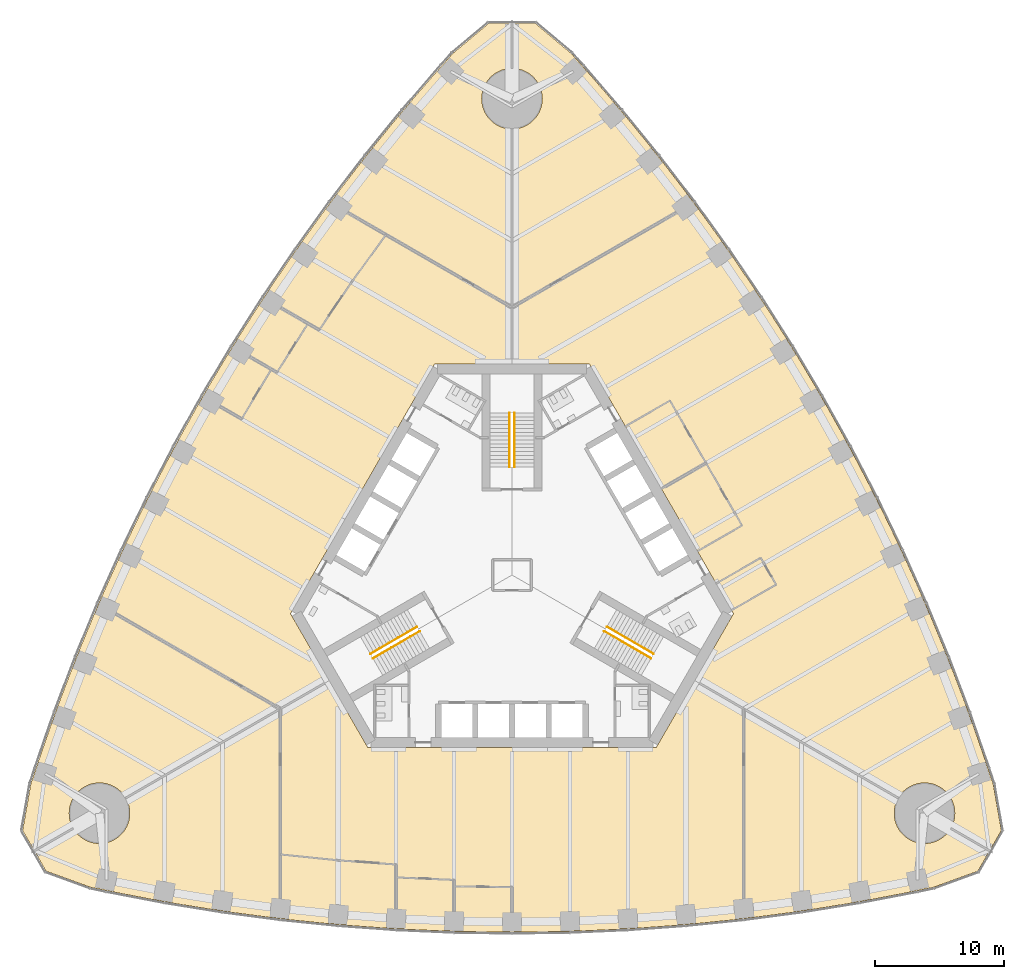
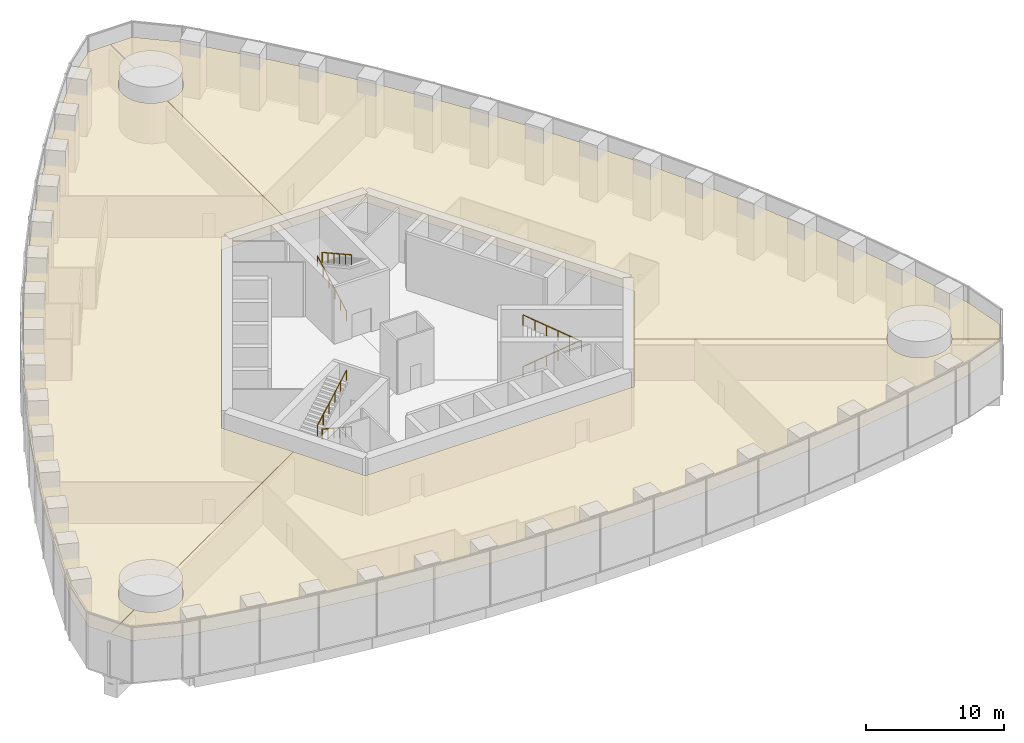
# One storey, part 19 of 21: 6 railings, 3 coverings.
"""IFC4 building model written with IfcOpenShell, lengths in metres."""

from ifc_helpers import new_model, si_unit, direction, frame, origin, origin_2d, place, context, subcontext, project, spatial, polyline, circle, outline, extrude, material, layer, layer_set, type_object, element, save


model = new_model("IFC4")

# Units and contexts
model_context = context("Model", 3, precision=1e-05, world=origin(), true_north=direction((0.0, 1.0)))
body_context = subcontext(model_context, "Body", "Model", "MODEL_VIEW")
ifc_project = project(units=[si_unit("LENGTHUNIT", "METRE"), si_unit("AREAUNIT", "SQUARE_METRE"), si_unit("VOLUMEUNIT", "CUBIC_METRE"), si_unit("PLANEANGLEUNIT", "RADIAN"), si_unit("MASSUNIT", "GRAM", prefix="KILO")], contexts=[model_context])

# Site, building, storey
site_placement = place(None, origin())
site = spatial("IfcSite", under=ifc_project, at=site_placement, CompositionType="ELEMENT")
building_placement = place(site_placement, origin())
building = spatial("IfcBuilding", under=site, at=building_placement, Name="Trefoil Bronze Tower", CompositionType="ELEMENT")
storey_placement = place(building_placement, frame((0.0, 0.0, 11.5)))
storey = spatial("IfcBuildingStorey", under=building, at=storey_placement, Name="L02", CompositionType="ELEMENT", Elevation=11.5)

# Coverings
ifc_material_1 = material(Name="Bronze metal ceiling panels", Category="metal")
ifc_layer = layer(ifc_material_1, 0.02001953125)
ifc_layer_set = layer_set([ifc_layer], Name="Feature ceiling 20")
covering_type = type_object("IfcCoveringType", Name="Feature ceiling 20", PredefinedType="CEILING", material=ifc_layer_set)
covering_1_placement = place(storey_placement, frame((0.0, 0.0, 3.60009765625)))
element("IfcCovering", 1, at=covering_1_placement, inside=storey, type_object=covering_type, Name="Ceiling L02 Restaurant F1", PredefinedType="CEILING", context=body_context, shape_type="SweptSolid", body=[
    extrude(outline(polyline([(-33.996826171875, -19.8056640625), (-33.930419921875, -19.89990234375), (-33.859619140625, -19.99072265625), (-33.7841796875, -20.078125), (-33.70458984375, -20.16162109375), (-33.62109375, -20.2412109375), (-33.53369140625, -20.316650390625), (-33.44287109375, -20.387451171875), (-33.348388671875, -20.4541015625), (-33.251220703125, -20.515625), (-33.150634765625, -20.572509765625), (-33.047607421875, -20.62451171875), (-32.942138671875, -20.671142578125), (-32.834716796875, -20.712646484375), (-32.72509765625, -20.748779296875), (-32.614013671875, -20.779541015625), (-32.50146484375, -20.8046875), (-32.3876953125, -20.82470703125), (-32.273193359375, -20.838623046875), (-32.158203125, -20.84716796875), (-32.04296875, -20.85009765625), (-31.927490234375, -20.84716796875), (-31.8125, -20.838623046875), (-31.697998046875, -20.82470703125), (-31.58447265625, -20.8046875), (-31.471923828125, -20.779541015625), (-31.36083984375, -20.748779296875), (-31.251220703125, -20.712646484375), (-31.1435546875, -20.671142578125), (-31.0380859375, -20.62451171875), (-30.935302734375, -20.572509765625), (-30.834716796875, -20.515625), (-30.7373046875, -20.4541015625), (-30.64306640625, -20.387451171875), (-30.552001953125, -20.316650390625), (-30.46484375, -20.2412109375), (-30.381103515625, -20.16162109375), (-30.3017578125, -20.078125), (-30.226318359375, -19.99072265625), (-30.155517578125, -19.89990234375), (-30.089111328125, -19.8056640625), (-30.02734375, -19.7080078125), (-29.970458984375, -19.60791015625), (-29.918701171875, -19.5048828125), (-29.871826171875, -19.3994140625), (-29.830322265625, -19.291748046875), (-29.794189453125, -19.18212890625), (-29.763427734375, -19.071044921875), (-29.738037109375, -18.95849609375), (-29.718505859375, -18.8447265625), (-29.704345703125, -18.730224609375), (-29.69580078125, -18.615234375), (-29.69287109375, -18.5), (-29.69580078125, -18.384765625), (-29.704345703125, -18.269775390625), (-29.718505859375, -18.1552734375), (-29.738037109375, -18.04150390625), (-29.763427734375, -17.928955078125), (-29.794189453125, -17.81787109375), (-29.830322265625, -17.708251953125), (-29.871826171875, -17.6005859375), (-29.918701171875, -17.4951171875), (-29.970458984375, -17.39208984375), (-30.001953125, -17.336669921875), (-14.19970703125, -8.205322265625), (-11.20068359375, -13.39990234375), (11.20068359375, -13.39990234375), (14.19970703125, -8.205322265625), (30.001953125, -17.336669921875), (29.970458984375, -17.39208984375), (29.918701171875, -17.4951171875), (29.871826171875, -17.6005859375), (29.830322265625, -17.708251953125), (29.794189453125, -17.81787109375), (29.763427734375, -17.928955078125), (29.738037109375, -18.04150390625), (29.718505859375, -18.1552734375), (29.704345703125, -18.269775390625), (29.69580078125, -18.384765625), (29.69287109375, -18.5), (29.69580078125, -18.615234375), (29.704345703125, -18.730224609375), (29.718505859375, -18.8447265625), (29.738037109375, -18.95849609375), (29.763427734375, -19.071044921875), (29.794189453125, -19.18212890625), (29.830322265625, -19.291748046875), (29.871826171875, -19.3994140625), (29.918701171875, -19.5048828125), (29.970458984375, -19.60791015625), (30.02734375, -19.7080078125), (30.089111328125, -19.8056640625), (30.155517578125, -19.89990234375), (30.226318359375, -19.99072265625), (30.3017578125, -20.078125), (30.381103515625, -20.16162109375), (30.46484375, -20.2412109375), (30.552001953125, -20.316650390625), (30.64306640625, -20.387451171875), (30.7373046875, -20.4541015625), (30.834716796875, -20.515625), (30.935302734375, -20.572509765625), (31.0380859375, -20.62451171875), (31.1435546875, -20.671142578125), (31.251220703125, -20.712646484375), (31.36083984375, -20.748779296875), (31.471923828125, -20.779541015625), (31.58447265625, -20.8046875), (31.697998046875, -20.82470703125), (31.8125, -20.838623046875), (31.927490234375, -20.84716796875), (32.04296875, -20.85009765625), (32.158203125, -20.84716796875), (32.273193359375, -20.838623046875), (32.3876953125, -20.82470703125), (32.50146484375, -20.8046875), (32.614013671875, -20.779541015625), (32.72509765625, -20.748779296875), (32.834716796875, -20.712646484375), (32.942138671875, -20.671142578125), (33.047607421875, -20.62451171875), (33.150634765625, -20.572509765625), (33.251220703125, -20.515625), (33.348388671875, -20.4541015625), (33.44287109375, -20.387451171875), (33.53369140625, -20.316650390625), (33.62109375, -20.2412109375), (33.70458984375, -20.16162109375), (33.7841796875, -20.078125), (33.859619140625, -19.99072265625), (33.930419921875, -19.89990234375), (33.996826171875, -19.8056640625), (34.0703125, -19.6875), (37.094482421875, -21.43505859375), (36.190673828125, -23.0009765625), (32.762451171875, -24.248779296875), (31.5, -24.51611328125), (27.0, -25.38037109375), (22.5, -26.10791015625), (18.0, -26.70068359375), (13.5, -27.159912109375), (9.0, -27.4873046875), (4.5, -27.683349609375), (0.0, -27.748779296875), (-4.5, -27.683349609375), (-9.0, -27.4873046875), (-13.5, -27.159912109375), (-18.0, -26.70068359375), (-22.5, -26.10791015625), (-27.0, -25.38037109375), (-31.5, -24.51611328125), (-32.762451171875, -24.248779296875), (-36.190673828125, -23.0009765625), (-37.094482421875, -21.43505859375), (-34.0703125, -19.6875), (-33.996826171875, -19.8056640625)])), origin(), (0.0, 0.0, 1.0), 0.02001953125),
])
covering_2_placement = place(storey_placement, frame((0.0, 0.0, 3.60009765625)))
element("IfcCovering", 2, at=covering_2_placement, inside=storey, type_object=covering_type, Name="Ceiling L02 Fitness centre F2", PredefinedType="CEILING", context=body_context, shape_type="SweptSolid", body=[
    extrude(outline(polyline([(5.4814453125, 39.537841796875), (8.47998046875, 36.072998046875), (11.360107421875, 32.53955078125), (14.123291015625, 28.938720703125), (16.771240234375, 25.271484375), (19.3046875, 21.537841796875), (21.724609375, 17.73876953125), (24.031005859375, 13.87451171875), (26.224609375, 9.944580078125), (28.3046875, 5.949462890625), (30.271240234375, 1.888671875), (32.123291015625, -2.23828125), (33.860107421875, -6.431640625), (35.47998046875, -10.6923828125), (36.9814453125, -15.021728515625), (37.381103515625, -16.248779296875), (38.0146484375, -19.841552734375), (37.110595703125, -21.4072265625), (34.084716796875, -19.661865234375), (34.115478515625, -19.60791015625), (34.167236328125, -19.5048828125), (34.214111328125, -19.3994140625), (34.255615234375, -19.291748046875), (34.291748046875, -19.18212890625), (34.322509765625, -19.071044921875), (34.347900390625, -18.95849609375), (34.367431640625, -18.8447265625), (34.381591796875, -18.730224609375), (34.39013671875, -18.615234375), (34.392822265625, -18.5), (34.39013671875, -18.384765625), (34.381591796875, -18.269775390625), (34.367431640625, -18.1552734375), (34.347900390625, -18.04150390625), (34.322509765625, -17.928955078125), (34.291748046875, -17.81787109375), (34.255615234375, -17.708251953125), (34.214111328125, -17.6005859375), (34.167236328125, -17.4951171875), (34.115478515625, -17.39208984375), (34.05859375, -17.2919921875), (33.996826171875, -17.1943359375), (33.930419921875, -17.10009765625), (33.859619140625, -17.00927734375), (33.7841796875, -16.921875), (33.70458984375, -16.83837890625), (33.62109375, -16.7587890625), (33.53369140625, -16.683349609375), (33.44287109375, -16.612548828125), (33.348388671875, -16.5458984375), (33.251220703125, -16.484375), (33.150634765625, -16.427490234375), (33.047607421875, -16.37548828125), (32.942138671875, -16.328857421875), (32.834716796875, -16.287353515625), (32.72509765625, -16.251220703125), (32.614013671875, -16.220458984375), (32.50146484375, -16.1953125), (32.3876953125, -16.17529296875), (32.273193359375, -16.161376953125), (32.158203125, -16.15283203125), (32.04296875, -16.14990234375), (31.927490234375, -16.15283203125), (31.8125, -16.161376953125), (31.697998046875, -16.17529296875), (31.58447265625, -16.1953125), (31.471923828125, -16.220458984375), (31.36083984375, -16.251220703125), (31.251220703125, -16.287353515625), (31.1435546875, -16.328857421875), (31.0380859375, -16.37548828125), (30.935302734375, -16.427490234375), (30.834716796875, -16.484375), (30.7373046875, -16.5458984375), (30.64306640625, -16.612548828125), (30.552001953125, -16.683349609375), (30.46484375, -16.7587890625), (30.381103515625, -16.83837890625), (30.3017578125, -16.921875), (30.226318359375, -17.00927734375), (30.155517578125, -17.10009765625), (30.089111328125, -17.1943359375), (30.02734375, -17.2919921875), (30.0146484375, -17.31396484375), (14.205810546875, -8.194580078125), (17.205078125, -3.0), (6.00439453125, 16.39990234375), (0.006103515625, 16.39990234375), (0.012939453125, 34.650390625), (0.115234375, 34.65283203125), (0.230224609375, 34.661376953125), (0.3447265625, 34.67529296875), (0.45849609375, 34.6953125), (0.571044921875, 34.720458984375), (0.68212890625, 34.751220703125), (0.791748046875, 34.787353515625), (0.8994140625, 34.828857421875), (1.0048828125, 34.87548828125), (1.10791015625, 34.927490234375), (1.2080078125, 34.984375), (1.3056640625, 35.0458984375), (1.39990234375, 35.112548828125), (1.49072265625, 35.183349609375), (1.578125, 35.2587890625), (1.66162109375, 35.33837890625), (1.7412109375, 35.421875), (1.816650390625, 35.50927734375), (1.887451171875, 35.60009765625), (1.9541015625, 35.6943359375), (2.015625, 35.7919921875), (2.072509765625, 35.89208984375), (2.12451171875, 35.9951171875), (2.171142578125, 36.1005859375), (2.212646484375, 36.208251953125), (2.248779296875, 36.31787109375), (2.279541015625, 36.428955078125), (2.3046875, 36.54150390625), (2.32470703125, 36.6552734375), (2.338623046875, 36.769775390625), (2.34716796875, 36.884765625), (2.35009765625, 37.0), (2.34716796875, 37.115234375), (2.338623046875, 37.230224609375), (2.32470703125, 37.3447265625), (2.3046875, 37.45849609375), (2.279541015625, 37.571044921875), (2.248779296875, 37.68212890625), (2.212646484375, 37.791748046875), (2.171142578125, 37.8994140625), (2.12451171875, 38.0048828125), (2.072509765625, 38.10791015625), (2.015625, 38.2080078125), (1.9541015625, 38.3056640625), (1.887451171875, 38.39990234375), (1.816650390625, 38.49072265625), (1.7412109375, 38.578125), (1.66162109375, 38.66162109375), (1.578125, 38.7412109375), (1.49072265625, 38.816650390625), (1.39990234375, 38.887451171875), (1.3056640625, 38.9541015625), (1.2080078125, 39.015625), (1.10791015625, 39.072509765625), (1.0048828125, 39.12451171875), (0.8994140625, 39.171142578125), (0.791748046875, 39.212646484375), (0.68212890625, 39.248779296875), (0.571044921875, 39.279541015625), (0.45849609375, 39.3046875), (0.3447265625, 39.32470703125), (0.230224609375, 39.338623046875), (0.115234375, 39.34716796875), (0.014892578125, 39.349609375), (0.01611328125, 42.84228515625), (1.82421875, 42.84228515625), (4.618896484375, 40.497314453125), (5.4814453125, 39.537841796875)])), origin(), (0.0, 0.0, 1.0), 0.02001953125),
])
covering_3_placement = place(storey_placement, frame((0.0, 0.0, 3.60009765625)))
element("IfcCovering", 3, at=covering_3_placement, inside=storey, type_object=covering_type, Name="Ceiling L02 Staff canteen F3", PredefinedType="CEILING", context=body_context, shape_type="SweptSolid", body=[
    extrude(outline(polyline([(-36.9814453125, -15.021728515625), (-35.47998046875, -10.6923828125), (-33.860107421875, -6.431640625), (-32.123291015625, -2.23828125), (-30.271240234375, 1.888671875), (-28.3046875, 5.949462890625), (-26.224609375, 9.944580078125), (-24.031005859375, 13.87451171875), (-21.724609375, 17.73876953125), (-19.3046875, 21.537841796875), (-16.771240234375, 25.271484375), (-14.123291015625, 28.938720703125), (-11.360107421875, 32.53955078125), (-8.47998046875, 36.072998046875), (-5.4814453125, 39.537841796875), (-4.618896484375, 40.497314453125), (-1.82421875, 42.84228515625), (-0.01611328125, 42.84228515625), (-0.014892578125, 39.349609375), (-0.115234375, 39.34716796875), (-0.230224609375, 39.338623046875), (-0.3447265625, 39.32470703125), (-0.45849609375, 39.3046875), (-0.571044921875, 39.279541015625), (-0.68212890625, 39.248779296875), (-0.791748046875, 39.212646484375), (-0.8994140625, 39.171142578125), (-1.0048828125, 39.12451171875), (-1.10791015625, 39.072509765625), (-1.2080078125, 39.015625), (-1.3056640625, 38.9541015625), (-1.39990234375, 38.887451171875), (-1.49072265625, 38.816650390625), (-1.578125, 38.7412109375), (-1.66162109375, 38.66162109375), (-1.7412109375, 38.578125), (-1.816650390625, 38.49072265625), (-1.887451171875, 38.39990234375), (-1.9541015625, 38.3056640625), (-2.015625, 38.2080078125), (-2.072509765625, 38.10791015625), (-2.12451171875, 38.0048828125), (-2.171142578125, 37.8994140625), (-2.212646484375, 37.791748046875), (-2.248779296875, 37.68212890625), (-2.279541015625, 37.571044921875), (-2.3046875, 37.45849609375), (-2.32470703125, 37.3447265625), (-2.338623046875, 37.230224609375), (-2.34716796875, 37.115234375), (-2.35009765625, 37.0), (-2.34716796875, 36.884765625), (-2.338623046875, 36.769775390625), (-2.32470703125, 36.6552734375), (-2.3046875, 36.54150390625), (-2.279541015625, 36.428955078125), (-2.248779296875, 36.31787109375), (-2.212646484375, 36.208251953125), (-2.171142578125, 36.1005859375), (-2.12451171875, 35.9951171875), (-2.072509765625, 35.89208984375), (-2.015625, 35.7919921875), (-1.9541015625, 35.6943359375), (-1.887451171875, 35.60009765625), (-1.816650390625, 35.50927734375), (-1.7412109375, 35.421875), (-1.66162109375, 35.33837890625), (-1.578125, 35.2587890625), (-1.49072265625, 35.183349609375), (-1.39990234375, 35.112548828125), (-1.3056640625, 35.0458984375), (-1.2080078125, 34.984375), (-1.10791015625, 34.927490234375), (-1.0048828125, 34.87548828125), (-0.8994140625, 34.828857421875), (-0.791748046875, 34.787353515625), (-0.68212890625, 34.751220703125), (-0.571044921875, 34.720458984375), (-0.45849609375, 34.6953125), (-0.3447265625, 34.67529296875), (-0.230224609375, 34.661376953125), (-0.115234375, 34.65283203125), (-0.012939453125, 34.650390625), (-0.006103515625, 16.39990234375), (-6.00439453125, 16.39990234375), (-17.205078125, -3.0), (-14.205810546875, -8.194580078125), (-30.0146484375, -17.31396484375), (-30.02734375, -17.2919921875), (-30.089111328125, -17.1943359375), (-30.155517578125, -17.10009765625), (-30.226318359375, -17.00927734375), (-30.3017578125, -16.921875), (-30.381103515625, -16.83837890625), (-30.46484375, -16.7587890625), (-30.552001953125, -16.683349609375), (-30.64306640625, -16.612548828125), (-30.7373046875, -16.5458984375), (-30.834716796875, -16.484375), (-30.935302734375, -16.427490234375), (-31.0380859375, -16.37548828125), (-31.1435546875, -16.328857421875), (-31.251220703125, -16.287353515625), (-31.36083984375, -16.251220703125), (-31.471923828125, -16.220458984375), (-31.58447265625, -16.1953125), (-31.697998046875, -16.17529296875), (-31.8125, -16.161376953125), (-31.927490234375, -16.15283203125), (-32.04296875, -16.14990234375), (-32.158203125, -16.15283203125), (-32.273193359375, -16.161376953125), (-32.3876953125, -16.17529296875), (-32.50146484375, -16.1953125), (-32.614013671875, -16.220458984375), (-32.72509765625, -16.251220703125), (-32.834716796875, -16.287353515625), (-32.942138671875, -16.328857421875), (-33.047607421875, -16.37548828125), (-33.150634765625, -16.427490234375), (-33.251220703125, -16.484375), (-33.348388671875, -16.5458984375), (-33.44287109375, -16.612548828125), (-33.53369140625, -16.683349609375), (-33.62109375, -16.7587890625), (-33.70458984375, -16.83837890625), (-33.7841796875, -16.921875), (-33.859619140625, -17.00927734375), (-33.930419921875, -17.10009765625), (-33.996826171875, -17.1943359375), (-34.05859375, -17.2919921875), (-34.115478515625, -17.39208984375), (-34.167236328125, -17.4951171875), (-34.214111328125, -17.6005859375), (-34.255615234375, -17.708251953125), (-34.291748046875, -17.81787109375), (-34.322509765625, -17.928955078125), (-34.347900390625, -18.04150390625), (-34.367431640625, -18.1552734375), (-34.381591796875, -18.269775390625), (-34.39013671875, -18.384765625), (-34.392822265625, -18.5), (-34.39013671875, -18.615234375), (-34.381591796875, -18.730224609375), (-34.367431640625, -18.8447265625), (-34.347900390625, -18.95849609375), (-34.322509765625, -19.071044921875), (-34.291748046875, -19.18212890625), (-34.255615234375, -19.291748046875), (-34.214111328125, -19.3994140625), (-34.167236328125, -19.5048828125), (-34.115478515625, -19.60791015625), (-34.084716796875, -19.661865234375), (-37.110595703125, -21.4072265625), (-38.0146484375, -19.841552734375), (-37.381103515625, -16.248779296875), (-36.9814453125, -15.021728515625)])), origin(), (0.0, 0.0, 1.0), 0.02001953125),
])

# Railings
ifc_material_2 = material(Name="Steel handrail", Category="steel")
railing_type = type_object("IfcRailingType", Name="Handrail 900", PredefinedType="HANDRAIL", material=ifc_material_2)
railing_1_placement = place(storey_placement, frame((7.365966796875, -4.021728515625, 0.166748046875)))
element("IfcRailing", 4, at=railing_1_placement, inside=storey, type_object=railing_type, Name="Handrail ST1 flight 1 L02", PredefinedType="HANDRAIL", context=body_context, shape_type="SweptSolid", body=[
    extrude(circle(Radius=0.02392578125, at=origin_2d()), frame((0.0, 0.0, 0.8759765625), z_axis=(0.757033054248, -0.437105539847, 0.485633299735), x_axis=(0.500027713859, 0.866009402589, 0.0)), (0.0, 0.0, 1.0), 4.804443359375),
    extrude(circle(Radius=0.02099609375, at=origin_2d()), origin(), (0.0, 0.0, 1.0), 0.851806640625),
    extrude(circle(Radius=0.02099609375, at=origin_2d()), frame((0.7275390625, -0.419921875, 0.466552734375)), (0.0, 0.0, 1.0), 0.851806640625),
    extrude(circle(Radius=0.02099609375, at=origin_2d()), frame((1.454833984375, -0.840087890625, 0.933349609375)), (0.0, 0.0, 1.0), 0.851806640625),
    extrude(circle(Radius=0.02099609375, at=origin_2d()), frame((2.182373046875, -1.260009765625, 1.39990234375)), (0.0, 0.0, 1.0), 0.851806640625),
    extrude(circle(Radius=0.02099609375, at=origin_2d()), frame((2.90966796875, -1.68017578125, 1.86669921875)), (0.0, 0.0, 1.0), 0.851806640625),
    extrude(circle(Radius=0.02099609375, at=origin_2d()), frame((3.63720703125, -2.10009765625, 2.333251953125)), (0.0, 0.0, 1.0), 0.851806640625),
])
railing_2_placement = place(storey_placement, frame((10.80322265625, -6.46826171875, 2.666748046875)))
element("IfcRailing", 5, at=railing_2_placement, inside=storey, type_object=railing_type, Name="Handrail ST1 flight 2 L02", PredefinedType="HANDRAIL", context=body_context, shape_type="SweptSolid", body=[
    extrude(circle(Radius=0.02392578125, at=origin_2d()), frame((0.0, 0.0, 0.8759765625), z_axis=(-0.757033054248, 0.437105539847, 0.485633299735), x_axis=(-0.500027713859, -0.866009402589, 0.0)), (0.0, 0.0, 1.0), 4.804443359375),
    extrude(circle(Radius=0.02099609375, at=origin_2d()), origin(), (0.0, 0.0, 1.0), 0.851806640625),
    extrude(circle(Radius=0.02099609375, at=origin_2d()), frame((-0.7275390625, 0.419921875, 0.466552734375)), (0.0, 0.0, 1.0), 0.851806640625),
    extrude(circle(Radius=0.02099609375, at=origin_2d()), frame((-1.454833984375, 0.840087890625, 0.933349609375)), (0.0, 0.0, 1.0), 0.851806640625),
    extrude(circle(Radius=0.02099609375, at=origin_2d()), frame((-2.182373046875, 1.260009765625, 1.39990234375)), (0.0, 0.0, 1.0), 0.851806640625),
    extrude(circle(Radius=0.02099609375, at=origin_2d()), frame((-2.90966796875, 1.68017578125, 1.86669921875)), (0.0, 0.0, 1.0), 0.851806640625),
    extrude(circle(Radius=0.02099609375, at=origin_2d()), frame((-3.63720703125, 2.10009765625, 2.333251953125)), (0.0, 0.0, 1.0), 0.851806640625),
])
railing_3_placement = place(storey_placement, frame((-0.199951171875, 8.389892578125, 0.166748046875)))
element("IfcRailing", 6, at=railing_3_placement, inside=storey, type_object=railing_type, Name="Handrail ST2 flight 1 L02", PredefinedType="HANDRAIL", context=body_context, shape_type="SweptSolid", body=[
    extrude(circle(Radius=0.02392578125, at=origin_2d()), frame((0.0, 0.0, 0.8759765625), z_axis=(0.0, 0.874174053232, 0.485612731152), x_axis=(-1.0, 0.0, 0.0)), (0.0, 0.0, 1.0), 4.8046875),
    extrude(circle(Radius=0.02099609375, at=origin_2d()), origin(), (0.0, 0.0, 1.0), 0.851806640625),
    extrude(circle(Radius=0.02099609375, at=origin_2d()), frame((0.0, 0.840087890625, 0.466552734375)), (0.0, 0.0, 1.0), 0.851806640625),
    extrude(circle(Radius=0.02099609375, at=origin_2d()), frame((0.0, 1.68017578125, 0.933349609375)), (0.0, 0.0, 1.0), 0.851806640625),
    extrude(circle(Radius=0.02099609375, at=origin_2d()), frame((0.0, 2.52001953125, 1.39990234375)), (0.0, 0.0, 1.0), 0.851806640625),
    extrude(circle(Radius=0.02099609375, at=origin_2d()), frame((0.0, 3.360107421875, 1.86669921875)), (0.0, 0.0, 1.0), 0.851806640625),
    extrude(circle(Radius=0.02099609375, at=origin_2d()), frame((0.0, 4.2001953125, 2.333251953125)), (0.0, 0.0, 1.0), 0.851806640625),
])
railing_4_placement = place(storey_placement, frame((0.199951171875, 12.590087890625, 2.666748046875)))
element("IfcRailing", 7, at=railing_4_placement, inside=storey, type_object=railing_type, Name="Handrail ST2 flight 2 L02", PredefinedType="HANDRAIL", context=body_context, shape_type="SweptSolid", body=[
    extrude(circle(Radius=0.02392578125, at=origin_2d()), frame((0.0, 0.0, 0.8759765625), z_axis=(0.0, -0.874174053232, 0.485612731152), x_axis=(1.0, 0.0, 0.0)), (0.0, 0.0, 1.0), 4.8046875),
    extrude(circle(Radius=0.02099609375, at=origin_2d()), origin(), (0.0, 0.0, 1.0), 0.851806640625),
    extrude(circle(Radius=0.02099609375, at=origin_2d()), frame((0.0, -0.840087890625, 0.466552734375)), (0.0, 0.0, 1.0), 0.851806640625),
    extrude(circle(Radius=0.02099609375, at=origin_2d()), frame((0.0, -1.68017578125, 0.933349609375)), (0.0, 0.0, 1.0), 0.851806640625),
    extrude(circle(Radius=0.02099609375, at=origin_2d()), frame((0.0, -2.52001953125, 1.39990234375)), (0.0, 0.0, 1.0), 0.851806640625),
    extrude(circle(Radius=0.02099609375, at=origin_2d()), frame((0.0, -3.360107421875, 1.86669921875)), (0.0, 0.0, 1.0), 0.851806640625),
    extrude(circle(Radius=0.02099609375, at=origin_2d()), frame((0.0, -4.2001953125, 2.333251953125)), (0.0, 0.0, 1.0), 0.851806640625),
])
railing_5_placement = place(storey_placement, frame((-7.166015625, -4.3681640625, 0.166748046875)))
element("IfcRailing", 8, at=railing_5_placement, inside=storey, type_object=railing_type, Name="Handrail ST3 flight 1 L02", PredefinedType="HANDRAIL", context=body_context, shape_type="SweptSolid", body=[
    extrude(circle(Radius=0.02392578125, at=origin_2d()), frame((0.0, 0.0, 0.8759765625), z_axis=(-0.757033054248, -0.437105539847, 0.485633299735), x_axis=(0.500027713859, -0.866009402589, 0.0)), (0.0, 0.0, 1.0), 4.804443359375),
    extrude(circle(Radius=0.02099609375, at=origin_2d()), origin(), (0.0, 0.0, 1.0), 0.851806640625),
    extrude(circle(Radius=0.02099609375, at=origin_2d()), frame((-0.7275390625, -0.419921875, 0.466552734375)), (0.0, 0.0, 1.0), 0.851806640625),
    extrude(circle(Radius=0.02099609375, at=origin_2d()), frame((-1.454833984375, -0.840087890625, 0.933349609375)), (0.0, 0.0, 1.0), 0.851806640625),
    extrude(circle(Radius=0.02099609375, at=origin_2d()), frame((-2.182373046875, -1.260009765625, 1.39990234375)), (0.0, 0.0, 1.0), 0.851806640625),
    extrude(circle(Radius=0.02099609375, at=origin_2d()), frame((-2.90966796875, -1.68017578125, 1.86669921875)), (0.0, 0.0, 1.0), 0.851806640625),
    extrude(circle(Radius=0.02099609375, at=origin_2d()), frame((-3.63720703125, -2.10009765625, 2.333251953125)), (0.0, 0.0, 1.0), 0.851806640625),
])
railing_6_placement = place(storey_placement, frame((-11.003173828125, -6.121826171875, 2.666748046875)))
element("IfcRailing", 9, at=railing_6_placement, inside=storey, type_object=railing_type, Name="Handrail ST3 flight 2 L02", PredefinedType="HANDRAIL", context=body_context, shape_type="SweptSolid", body=[
    extrude(circle(Radius=0.02392578125, at=origin_2d()), frame((0.0, 0.0, 0.8759765625), z_axis=(0.757033054248, 0.437105539847, 0.485633299735), x_axis=(-0.500027713859, 0.866009402589, 0.0)), (0.0, 0.0, 1.0), 4.804443359375),
    extrude(circle(Radius=0.02099609375, at=origin_2d()), origin(), (0.0, 0.0, 1.0), 0.851806640625),
    extrude(circle(Radius=0.02099609375, at=origin_2d()), frame((0.7275390625, 0.419921875, 0.466552734375)), (0.0, 0.0, 1.0), 0.851806640625),
    extrude(circle(Radius=0.02099609375, at=origin_2d()), frame((1.454833984375, 0.840087890625, 0.933349609375)), (0.0, 0.0, 1.0), 0.851806640625),
    extrude(circle(Radius=0.02099609375, at=origin_2d()), frame((2.182373046875, 1.260009765625, 1.39990234375)), (0.0, 0.0, 1.0), 0.851806640625),
    extrude(circle(Radius=0.02099609375, at=origin_2d()), frame((2.90966796875, 1.68017578125, 1.86669921875)), (0.0, 0.0, 1.0), 0.851806640625),
    extrude(circle(Radius=0.02099609375, at=origin_2d()), frame((3.63720703125, 2.10009765625, 2.333251953125)), (0.0, 0.0, 1.0), 0.851806640625),
])

save(model, "model.ifc")
